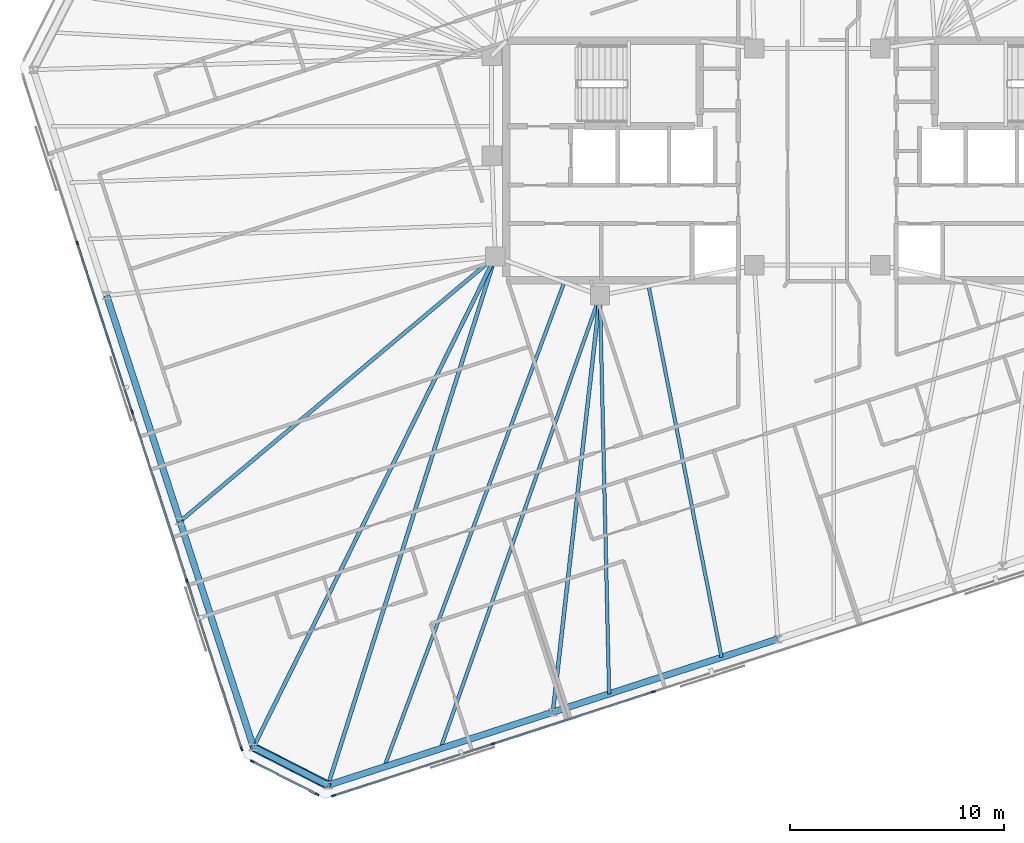
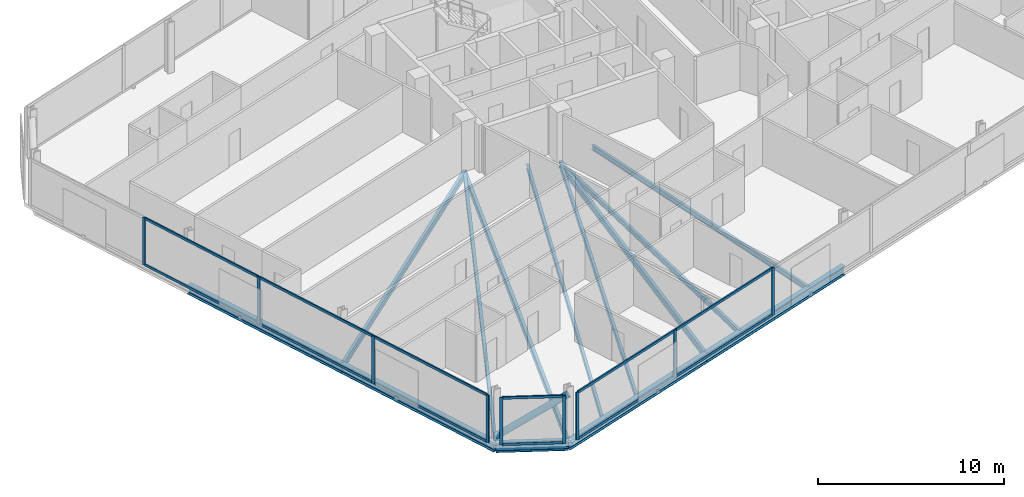
# One storey, part 5 of 19: 22 members, 13 beams, 3 elements without a shape of their own.
"""IFC4 building model written with IfcOpenShell, lengths in metres."""

from ifc_helpers import new_model, si_unit, direction, frame, origin, origin_2d, place, context, subcontext, project, spatial, rectangle, hollow_circle, i_section, extrude, material, material_profile, profile_set, type_object, element, aggregate, save


model = new_model("IFC4")

# Units and contexts
model_context = context("Model", 3, precision=1e-05, world=origin(), true_north=direction((0.0, 1.0)))
body_context = subcontext(model_context, "Body", "Model", "MODEL_VIEW")
ifc_project = project(units=[si_unit("LENGTHUNIT", "METRE"), si_unit("AREAUNIT", "SQUARE_METRE"), si_unit("VOLUMEUNIT", "CUBIC_METRE"), si_unit("PLANEANGLEUNIT", "RADIAN"), si_unit("MASSUNIT", "GRAM", prefix="KILO")], contexts=[model_context])

# Site, building, storey
site_placement = place(None, origin())
site = spatial("IfcSite", under=ifc_project, at=site_placement, CompositionType="ELEMENT")
building_placement = place(site_placement, origin())
building = spatial("IfcBuilding", under=site, at=building_placement, Name="Menara Jurai Vektor", CompositionType="ELEMENT")
storey_placement = place(building_placement, frame((0.0, 0.0, 220.949951171875)))
storey = spatial("IfcBuildingStorey", under=building, at=storey_placement, Name="L58", CompositionType="ELEMENT", Elevation=220.949951171875)

# Curtain wall, members
ifc_material_1 = material(Name="Anodised Pale Aluminium & Low-E Double Glazing", Category="aluminium")
curtain_wall_type = type_object("IfcCurtainWallType", Name="CW-BLK4", PredefinedType="NOTDEFINED", material=ifc_material_1)
curtain_wall_1_placement = place(storey_placement, origin())
curtain_wall_1 = element("IfcCurtainWall", 1, at=curtain_wall_1_placement, inside=storey, type_object=curtain_wall_type, Name="Unitised Curtain Wall L58 F01", PredefinedType="NOTDEFINED")
ifc_material_2 = material(Name="Anodised Pale Aluminium Mullion", Category="aluminium")
ifc_material_profile_1 = material_profile(ifc_material_2, rectangle(XDim=0.080078125, YDim=0.18994140625, at=origin_2d()), Name="ALU MUL 80x190")
ifc_profile_set_1 = profile_set([ifc_material_profile_1], Name="Anodised Pale Aluminium Mullion")
member_type_1 = type_object("IfcMemberType", Name="CW-BLK4-MUL", PredefinedType="MULLION", material=ifc_profile_set_1)
member_1_placement = place(storey_placement, frame((-22.649658203125, -29.743896484375, 0.0), z_axis=(0.0, 0.0, 1.0), x_axis=(-0.309017344167, 0.951056402641, 0.0)))
member_1 = element("IfcMember", 2, at=member_1_placement, type_object=member_type_1, Name="CW-04 mullion 1", PredefinedType="MULLION", context=body_context, shape_type="SweptSolid", body=[
    extrude(rectangle(XDim=0.080078125, YDim=0.18994140625, at=origin_2d()), origin(), (0.0, 0.0, 1.0), 3.125),
])
member_2_placement = place(storey_placement, frame((-15.1826171875, -27.317626953125, 0.0), z_axis=(0.0, 0.0, 1.0), x_axis=(-0.309017344167, 0.951056402641, 0.0)))
member_2 = element("IfcMember", 3, at=member_2_placement, type_object=member_type_1, Name="CW-04 mullion 2", PredefinedType="MULLION", context=body_context, shape_type="SweptSolid", body=[
    extrude(rectangle(XDim=0.080078125, YDim=0.18994140625, at=origin_2d()), origin(), (0.0, 0.0, 1.0), 3.125),
])
member_3_placement = place(storey_placement, frame((-7.677490234375, -24.879150390625, 0.0), z_axis=(0.0, 0.0, 1.0), x_axis=(-0.309017344167, 0.951056402641, 0.0)))
member_3 = element("IfcMember", 4, at=member_3_placement, type_object=member_type_1, Name="CW-04 mullion 3", PredefinedType="MULLION", context=body_context, shape_type="SweptSolid", body=[
    extrude(rectangle(XDim=0.080078125, YDim=0.18994140625, at=origin_2d()), origin(), (0.0, 0.0, 1.0), 3.125),
])

curtain_wall_2_placement = place(storey_placement, origin())
curtain_wall_2 = element("IfcCurtainWall", 5, at=curtain_wall_2_placement, inside=storey, type_object=curtain_wall_type, Name="Unitised Curtain Wall L58 F07", PredefinedType="NOTDEFINED")
member_4_placement = place(storey_placement, frame((-34.650634765625, -3.876220703125, 0.0), z_axis=(0.0, 0.0, 1.0), x_axis=(0.95105668295, 0.309016481464, 0.0)))
member_4 = element("IfcMember", 6, at=member_4_placement, type_object=member_type_1, Name="CW-04 mullion 2", PredefinedType="MULLION", context=body_context, shape_type="SweptSolid", body=[
    extrude(rectangle(XDim=0.080078125, YDim=0.18994140625, at=origin_2d()), origin(), (0.0, 0.0, 1.0), 3.125),
])
member_5_placement = place(storey_placement, frame((-32.082763671875, -11.779541015625, 0.0), z_axis=(0.0, 0.0, 1.0), x_axis=(0.95105668295, 0.309016481464, 0.0)))
member_5 = element("IfcMember", 7, at=member_5_placement, type_object=member_type_1, Name="CW-04 mullion 3", PredefinedType="MULLION", context=body_context, shape_type="SweptSolid", body=[
    extrude(rectangle(XDim=0.080078125, YDim=0.18994140625, at=origin_2d()), origin(), (0.0, 0.0, 1.0), 3.125),
])
member_6_placement = place(storey_placement, frame((-29.514892578125, -19.682861328125, 0.0), z_axis=(0.0, 0.0, 1.0), x_axis=(0.95105668295, 0.309016481464, 0.0)))
member_6 = element("IfcMember", 8, at=member_6_placement, type_object=member_type_1, Name="CW-04 mullion 4", PredefinedType="MULLION", context=body_context, shape_type="SweptSolid", body=[
    extrude(rectangle(XDim=0.080078125, YDim=0.18994140625, at=origin_2d()), origin(), (0.0, 0.0, 1.0), 3.125),
])
member_7_placement = place(storey_placement, frame((-26.959228515625, -27.548095703125, 0.0), z_axis=(0.0, 0.0, 1.0), x_axis=(0.95105668295, 0.309016481464, 0.0)))
member_7 = element("IfcMember", 9, at=member_7_placement, type_object=member_type_1, Name="CW-04 mullion 5", PredefinedType="MULLION", context=body_context, shape_type="SweptSolid", body=[
    extrude(rectangle(XDim=0.080078125, YDim=0.18994140625, at=origin_2d()), origin(), (0.0, 0.0, 1.0), 3.125),
])

curtain_wall_3_placement = place(storey_placement, origin())
curtain_wall_3 = element("IfcCurtainWall", 10, at=curtain_wall_3_placement, inside=storey, type_object=curtain_wall_type, Name="Unitised Curtain Wall L58 F08", PredefinedType="NOTDEFINED")
member_8_placement = place(storey_placement, frame((-26.455322265625, -28.13818359375, 0.0), z_axis=(0.0, 0.0, 1.0), x_axis=(0.453988579828, 0.89100750243, 0.0)))
member_8 = element("IfcMember", 11, at=member_8_placement, type_object=member_type_1, Name="CW-04 mullion 1", PredefinedType="MULLION", context=body_context, shape_type="SweptSolid", body=[
    extrude(rectangle(XDim=0.080078125, YDim=0.18994140625, at=origin_2d()), origin(), (0.0, 0.0, 1.0), 3.125),
])
member_9_placement = place(storey_placement, frame((-23.42333984375, -29.682861328125, 0.0), z_axis=(0.0, 0.0, 1.0), x_axis=(0.453988579828, 0.89100750243, 0.0)))
member_9 = element("IfcMember", 12, at=member_9_placement, type_object=member_type_1, Name="CW-04 mullion 2", PredefinedType="MULLION", context=body_context, shape_type="SweptSolid", body=[
    extrude(rectangle(XDim=0.080078125, YDim=0.18994140625, at=origin_2d()), origin(), (0.0, 0.0, 1.0), 3.125),
])

# Member
ifc_material_3 = material(Name="Anodised Pale Aluminium Transom", Category="aluminium")
ifc_material_profile_2 = material_profile(ifc_material_3, rectangle(XDim=0.080078125, YDim=0.1650390625, at=origin_2d()), Name="ALU TRN 80x165")
ifc_profile_set_2 = profile_set([ifc_material_profile_2], Name="Anodised Pale Aluminium Transom")
member_type_2 = type_object("IfcMemberType", Name="CW-BLK4-TRN", PredefinedType="USERDEFINED", material=ifc_profile_set_2)
member_10_placement = place(storey_placement, frame((-22.61181640625, -29.7314453125, 0.0400390625), z_axis=(0.951062230089, 0.308999408573, 0.0), x_axis=(-0.308999408573, 0.951062230089, 0.0)))
member_10 = element("IfcMember", 13, at=member_10_placement, type_object=member_type_2, Name="CW-04 transom 1.1", ObjectType="TRANSOM", PredefinedType="USERDEFINED", context=body_context, shape_type="SweptSolid", body=[
    extrude(rectangle(XDim=0.080078125, YDim=0.1650390625, at=origin_2d()), origin(), (0.0, 0.0, 1.0), 7.771484375),
])

member_11_placement = place(storey_placement, frame((-22.61181640625, -29.7314453125, 3.0849609375), z_axis=(0.951062230089, 0.308999408573, 0.0), x_axis=(-0.308999408573, 0.951062230089, 0.0)))
member_11 = element("IfcMember", 14, at=member_11_placement, type_object=member_type_2, Name="CW-04 transom 1.2", ObjectType="TRANSOM", PredefinedType="USERDEFINED", context=body_context, shape_type="SweptSolid", body=[
    extrude(rectangle(XDim=0.080078125, YDim=0.1650390625, at=origin_2d()), origin(), (0.0, 0.0, 1.0), 7.771484375),
])

member_12_placement = place(storey_placement, frame((-15.14453125, -27.30517578125, 0.0400390625), z_axis=(0.95105634578, 0.309017519167, 0.0), x_axis=(-0.309017519167, 0.95105634578, 0.0)))
member_12 = element("IfcMember", 15, at=member_12_placement, type_object=member_type_2, Name="CW-04 transom 2.1", ObjectType="TRANSOM", PredefinedType="USERDEFINED", context=body_context, shape_type="SweptSolid", body=[
    extrude(rectangle(XDim=0.080078125, YDim=0.1650390625, at=origin_2d()), origin(), (0.0, 0.0, 1.0), 7.811279296875),
])

member_13_placement = place(storey_placement, frame((-15.14453125, -27.30517578125, 3.0849609375), z_axis=(0.95105634578, 0.309017519167, 0.0), x_axis=(-0.309017519167, 0.95105634578, 0.0)))
member_13 = element("IfcMember", 16, at=member_13_placement, type_object=member_type_2, Name="CW-04 transom 2.2", ObjectType="TRANSOM", PredefinedType="USERDEFINED", context=body_context, shape_type="SweptSolid", body=[
    extrude(rectangle(XDim=0.080078125, YDim=0.1650390625, at=origin_2d()), origin(), (0.0, 0.0, 1.0), 7.811279296875),
])

aggregate(curtain_wall_1, [member_1, member_2, member_3, member_10, member_11, member_12, member_13])

member_14_placement = place(storey_placement, frame((-34.638427734375, -3.914306640625, 0.0400390625), z_axis=(0.309018994408, -0.951055866443, 0.0), x_axis=(0.951055866443, 0.309018994408, 0.0)))
member_14 = element("IfcMember", 17, at=member_14_placement, type_object=member_type_2, Name="CW-04 transom 2.1", ObjectType="TRANSOM", PredefinedType="USERDEFINED", context=body_context, shape_type="SweptSolid", body=[
    extrude(rectangle(XDim=0.080078125, YDim=0.1650390625, at=origin_2d()), origin(), (0.0, 0.0, 1.0), 8.22998046875),
])

member_15_placement = place(storey_placement, frame((-34.638427734375, -3.914306640625, 3.0849609375), z_axis=(0.309018994408, -0.951055866443, 0.0), x_axis=(0.951055866443, 0.309018994408, 0.0)))
member_15 = element("IfcMember", 18, at=member_15_placement, type_object=member_type_2, Name="CW-04 transom 2.2", ObjectType="TRANSOM", PredefinedType="USERDEFINED", context=body_context, shape_type="SweptSolid", body=[
    extrude(rectangle(XDim=0.080078125, YDim=0.1650390625, at=origin_2d()), origin(), (0.0, 0.0, 1.0), 8.22998046875),
])

member_16_placement = place(storey_placement, frame((-32.0703125, -11.817626953125, 0.0400390625), z_axis=(0.309018994408, -0.951055866443, 0.0), x_axis=(0.951055866443, 0.309018994408, 0.0)))
member_16 = element("IfcMember", 19, at=member_16_placement, type_object=member_type_2, Name="CW-04 transom 3.1", ObjectType="TRANSOM", PredefinedType="USERDEFINED", context=body_context, shape_type="SweptSolid", body=[
    extrude(rectangle(XDim=0.080078125, YDim=0.1650390625, at=origin_2d()), origin(), (0.0, 0.0, 1.0), 8.22998046875),
])

member_17_placement = place(storey_placement, frame((-32.0703125, -11.817626953125, 3.0849609375), z_axis=(0.309018994408, -0.951055866443, 0.0), x_axis=(0.951055866443, 0.309018994408, 0.0)))
member_17 = element("IfcMember", 20, at=member_17_placement, type_object=member_type_2, Name="CW-04 transom 3.2", ObjectType="TRANSOM", PredefinedType="USERDEFINED", context=body_context, shape_type="SweptSolid", body=[
    extrude(rectangle(XDim=0.080078125, YDim=0.1650390625, at=origin_2d()), origin(), (0.0, 0.0, 1.0), 8.22998046875),
])

member_18_placement = place(storey_placement, frame((-29.50244140625, -19.720947265625, 0.0400390625), z_axis=(0.309010577384, -0.951058601278, 0.0), x_axis=(0.951058601278, 0.309010577384, 0.0)))
member_18 = element("IfcMember", 21, at=member_18_placement, type_object=member_type_2, Name="CW-04 transom 4.1", ObjectType="TRANSOM", PredefinedType="USERDEFINED", context=body_context, shape_type="SweptSolid", body=[
    extrude(rectangle(XDim=0.080078125, YDim=0.1650390625, at=origin_2d()), origin(), (0.0, 0.0, 1.0), 8.18994140625),
])

member_19_placement = place(storey_placement, frame((-29.50244140625, -19.720947265625, 3.0849609375), z_axis=(0.309010577384, -0.951058601278, 0.0), x_axis=(0.951058601278, 0.309010577384, 0.0)))
member_19 = element("IfcMember", 22, at=member_19_placement, type_object=member_type_2, Name="CW-04 transom 4.2", ObjectType="TRANSOM", PredefinedType="USERDEFINED", context=body_context, shape_type="SweptSolid", body=[
    extrude(rectangle(XDim=0.080078125, YDim=0.1650390625, at=origin_2d()), origin(), (0.0, 0.0, 1.0), 8.18994140625),
])

aggregate(curtain_wall_2, [member_4, member_5, member_6, member_7, member_14, member_15, member_16, member_17, member_18, member_19])

member_20_placement = place(storey_placement, frame((-26.419677734375, -28.15625, 0.0400390625), z_axis=(0.89100697374, -0.453989617444, 0.0), x_axis=(0.453989617444, 0.89100697374, 0.0)))
member_20 = element("IfcMember", 23, at=member_20_placement, type_object=member_type_2, Name="CW-04 transom 1.1", ObjectType="TRANSOM", PredefinedType="USERDEFINED", context=body_context, shape_type="SweptSolid", body=[
    extrude(rectangle(XDim=0.080078125, YDim=0.1650390625, at=origin_2d()), origin(), (0.0, 0.0, 1.0), 3.32275390625),
])

member_21_placement = place(storey_placement, frame((-26.419677734375, -28.15625, 3.0849609375), z_axis=(0.89100697374, -0.453989617444, 0.0), x_axis=(0.453989617444, 0.89100697374, 0.0)))
member_21 = element("IfcMember", 24, at=member_21_placement, type_object=member_type_2, Name="CW-04 transom 1.2", ObjectType="TRANSOM", PredefinedType="USERDEFINED", context=body_context, shape_type="SweptSolid", body=[
    extrude(rectangle(XDim=0.080078125, YDim=0.1650390625, at=origin_2d()), origin(), (0.0, 0.0, 1.0), 3.32275390625),
])

aggregate(curtain_wall_3, [member_8, member_9, member_20, member_21])

# Beams
ifc_material_4 = material(Name="Steel S355", Category="steel")
ifc_material_profile_3 = material_profile(ifc_material_4, i_section(OverallWidth=0.18505859375, OverallDepth=0.429931640625, WebThickness=0.010986328125, FlangeThickness=0.01806640625, at=origin_2d()), Name="PG 430x185x76")
ifc_profile_set_3 = profile_set([ifc_material_profile_3], Name="Steel S355")
beam_type_1 = type_object("IfcBeamType", Name="STR-BM-430", PredefinedType="BEAM", material=ifc_profile_set_3)
beam_1_placement = place(storey_placement, frame((-22.912841796875, -29.2509765625, -0.43994140625), z_axis=(0.301715059084, 0.953398145122, 0.0), x_axis=(-0.953398145122, 0.301715059084, 0.0)))
element("IfcBeam", 25, at=beam_1_placement, inside=storey, type_object=beam_type_1, Name="Radial Floor Girder L58-S1", PredefinedType="BEAM", context=body_context, shape_type="SweptSolid", body=[
    extrude(i_section(OverallWidth=0.18505859375, OverallDepth=0.429931640625, WebThickness=0.010986328125, FlangeThickness=0.01806640625, at=origin_2d()), origin(), (0.0, 0.0, 1.0), 25.960693359375),
])
beam_2_placement = place(storey_placement, frame((-12.383544921875, -25.829833984375, -0.43994140625), z_axis=(0.112235588534, 0.993681625404, 0.0), x_axis=(-0.993681625404, 0.112235588534, 0.0)))
element("IfcBeam", 26, at=beam_2_placement, inside=storey, type_object=beam_type_1, Name="Radial Floor Girder L58-S2", PredefinedType="BEAM", context=body_context, shape_type="SweptSolid", body=[
    extrude(i_section(OverallWidth=0.18505859375, OverallDepth=0.429931640625, WebThickness=0.010986328125, FlangeThickness=0.01806640625, at=origin_2d()), origin(), (0.0, 0.0, 1.0), 19.6337890625),
])
beam_3_placement = place(storey_placement, frame((-29.841796875, -16.896728515625, -0.43994140625), z_axis=(0.765784449649, 0.64309733064, 0.0), x_axis=(-0.64309733064, 0.765784449649, 0.0)))
element("IfcBeam", 27, at=beam_3_placement, inside=storey, type_object=beam_type_1, Name="Radial Floor Girder L58-W3", PredefinedType="BEAM", context=body_context, shape_type="SweptSolid", body=[
    extrude(i_section(OverallWidth=0.18505859375, OverallDepth=0.429931640625, WebThickness=0.010986328125, FlangeThickness=0.01806640625, at=origin_2d()), origin(), (0.0, 0.0, 1.0), 19.276611328125),
])
beam_4_placement = place(storey_placement, frame((-26.406005859375, -27.47119140625, -0.43994140625), z_axis=(0.442219272094, 0.896906971424, 0.0), x_axis=(-0.896906971424, 0.442219272094, 0.0)))
element("IfcBeam", 28, at=beam_4_placement, inside=storey, type_object=beam_type_1, Name="Radial Floor Girder L58-W4", PredefinedType="BEAM", context=body_context, shape_type="SweptSolid", body=[
    extrude(i_section(OverallWidth=0.18505859375, OverallDepth=0.429931640625, WebThickness=0.010986328125, FlangeThickness=0.01806640625, at=origin_2d()), origin(), (0.0, 0.0, 1.0), 25.611572265625),
])

# Member
ifc_material_5 = material(Name="Steel S460", Category="steel")
ifc_material_profile_4 = material_profile(ifc_material_5, hollow_circle(Radius=0.203125, WallThickness=0.01611328125, at=origin_2d()), Name="CHS 406.4x16")
ifc_profile_set_4 = profile_set([ifc_material_profile_4], Name="Steel S460")
member_type_3 = type_object("IfcMemberType", Name="STR-BR-406", PredefinedType="BRACE", material=ifc_profile_set_4)
member_22_placement = place(storey_placement, frame((-26.406005859375, -27.47119140625, 0.150146484375), z_axis=(0.740375367811, -0.377225079071, 0.556368182465), x_axis=(0.453976155955, 0.891013832566, 0.0)))
element("IfcMember", 29, at=member_22_placement, inside=storey, type_object=member_type_3, Name="Exoskeleton Corner Brace L58-4", PredefinedType="BRACE", context=body_context, shape_type="SweptSolid", body=[
    extrude(hollow_circle(Radius=0.203125, WallThickness=0.01611328125, at=origin_2d()), origin(), (0.0, 0.0, 1.0), 4.718017578125),
])

# Beams
ifc_material_profile_5 = material_profile(ifc_material_4, i_section(OverallWidth=0.1650390625, OverallDepth=0.330078125, WebThickness=0.009033203125, FlangeThickness=0.013916015625, at=origin_2d()), Name="PG 330x165x46")
ifc_profile_set_5 = profile_set([ifc_material_profile_5], Name="Steel S355")
beam_type_2 = type_object("IfcBeamType", Name="STR-JS-330", PredefinedType="JOIST", material=ifc_profile_set_5)
beam_5_placement = place(storey_placement, frame((-20.280517578125, -28.395751953125, -0.389892578125), z_axis=(0.348182225555, 0.937426870645, 0.0), x_axis=(-0.937426870645, 0.348182225555, 0.0)))
element("IfcBeam", 30, at=beam_5_placement, inside=storey, type_object=beam_type_2, Name="Radial Secondary Floor Joist L58-JS01", PredefinedType="JOIST", context=body_context, shape_type="SweptSolid", body=[
    extrude(i_section(OverallWidth=0.1650390625, OverallDepth=0.330078125, WebThickness=0.009033203125, FlangeThickness=0.013916015625, at=origin_2d()), origin(), (0.0, 0.0, 1.0), 24.211181640625),
])
beam_6_placement = place(storey_placement, frame((-17.648193359375, -27.540283203125, -0.389892578125), z_axis=(0.331980963321, 0.943286085974, 0.0), x_axis=(-0.943286085974, 0.331980963321, 0.0)))
element("IfcBeam", 31, at=beam_6_placement, inside=storey, type_object=beam_type_2, Name="Radial Secondary Floor Joist L58-JS02", PredefinedType="JOIST", context=body_context, shape_type="SweptSolid", body=[
    extrude(i_section(OverallWidth=0.1650390625, OverallDepth=0.330078125, WebThickness=0.009033203125, FlangeThickness=0.013916015625, at=origin_2d()), origin(), (0.0, 0.0, 1.0), 22.49609375),
])
beam_7_placement = place(storey_placement, frame((-9.751220703125, -24.974609375, -0.389892578125), z_axis=(-0.022975519442, 0.999736027913, 0.0), x_axis=(-0.999736027913, -0.022975519442, 0.0)))
element("IfcBeam", 32, at=beam_7_placement, inside=storey, type_object=beam_type_2, Name="Radial Secondary Floor Joist L58-JS03", PredefinedType="JOIST", context=body_context, shape_type="SweptSolid", body=[
    extrude(i_section(OverallWidth=0.1650390625, OverallDepth=0.330078125, WebThickness=0.009033203125, FlangeThickness=0.013916015625, at=origin_2d()), origin(), (0.0, 0.0, 1.0), 18.659423828125),
])
beam_8_placement = place(storey_placement, frame((-4.486572265625, -23.263916015625, -0.389892578125), z_axis=(-0.192724225092, 0.981252960792, 0.0), x_axis=(-0.981252960792, -0.192724225092, 0.0)))
element("IfcBeam", 33, at=beam_8_placement, inside=storey, type_object=beam_type_2, Name="Radial Secondary Floor Joist L58-JS04", PredefinedType="JOIST", context=body_context, shape_type="SweptSolid", body=[
    extrude(i_section(OverallWidth=0.1650390625, OverallDepth=0.330078125, WebThickness=0.009033203125, FlangeThickness=0.013916015625, at=origin_2d()), origin(), (0.0, 0.0, 1.0), 17.7236328125),
])
ifc_material_profile_6 = material_profile(ifc_material_4, i_section(OverallWidth=0.306884765625, OverallDepth=0.6201171875, WebThickness=0.013916015625, FlangeThickness=0.02392578125, FilletRadius=0.01708984375, at=origin_2d()), Name="UKB 610x305x179")
ifc_profile_set_6 = profile_set([ifc_material_profile_6], Name="Steel S355")
beam_type_3 = type_object("IfcBeamType", Name="STR-SP-610", PredefinedType="SPANDREL", material=ifc_profile_set_6)
for number, where, z_axis, x_axis, name in (
    (34, (-22.912841796875, -29.2509765625, -0.534912109375), (0.951057401967, 0.309014268544, 0.0), (-0.309014268544, 0.951057401967, 0.0), "Exoskeleton Spandrel Beam L58-01"),
    (35, (-12.383544921875, -25.829833984375, -0.534912109375), (0.951057401967, 0.309014268544, 0.0), (-0.309014268544, 0.951057401967, 0.0), "Exoskeleton Spandrel Beam L58-02"),
):
    element("IfcBeam", number, at=place(storey_placement, frame(where, z_axis=z_axis, x_axis=x_axis)), inside=storey, type_object=beam_type_3, Name=name, PredefinedType="SPANDREL", context=body_context, shape_type="SweptSolid", body=[
        extrude(i_section(OverallWidth=0.306884765625, OverallDepth=0.6201171875, WebThickness=0.013916015625, FlangeThickness=0.02392578125, FilletRadius=0.01708984375, at=origin_2d()), origin(), (0.0, 0.0, 1.0), 11.071044921875),
    ])
beam_9_placement = place(storey_placement, frame((-33.277587890625, -6.322509765625, -0.534912109375), z_axis=(0.309018545885, -0.951056012178, 0.0), x_axis=(0.951056012178, 0.309018545885, 0.0)))
element("IfcBeam", 36, at=beam_9_placement, inside=storey, type_object=beam_type_3, Name="Exoskeleton Spandrel Beam L58-18", PredefinedType="SPANDREL", context=body_context, shape_type="SweptSolid", body=[
    extrude(i_section(OverallWidth=0.306884765625, OverallDepth=0.6201171875, WebThickness=0.013916015625, FlangeThickness=0.02392578125, FilletRadius=0.01708984375, at=origin_2d()), origin(), (0.0, 0.0, 1.0), 11.118408203125),
])
beam_10_placement = place(storey_placement, frame((-29.841796875, -16.896728515625, -0.534912109375), z_axis=(0.309012092614, -0.95105810896, 0.0), x_axis=(0.95105810896, 0.309012092614, 0.0)))
element("IfcBeam", 37, at=beam_10_placement, inside=storey, type_object=beam_type_3, Name="Exoskeleton Spandrel Beam L58-19", PredefinedType="SPANDREL", context=body_context, shape_type="SweptSolid", body=[
    extrude(i_section(OverallWidth=0.306884765625, OverallDepth=0.6201171875, WebThickness=0.013916015625, FlangeThickness=0.02392578125, FilletRadius=0.01708984375, at=origin_2d()), origin(), (0.0, 0.0, 1.0), 11.11865234375),
])
beam_11_placement = place(storey_placement, frame((-26.406005859375, -27.47119140625, -0.534912109375), z_axis=(0.891013832566, -0.453976155955, 0.0), x_axis=(0.453976155955, 0.891013832566, 0.0)))
element("IfcBeam", 38, at=beam_11_placement, inside=storey, type_object=beam_type_3, Name="Exoskeleton Spandrel Beam L58-20", PredefinedType="SPANDREL", context=body_context, shape_type="SweptSolid", body=[
    extrude(i_section(OverallWidth=0.306884765625, OverallDepth=0.6201171875, WebThickness=0.013916015625, FlangeThickness=0.02392578125, FilletRadius=0.01708984375, at=origin_2d()), origin(), (0.0, 0.0, 1.0), 3.92041015625),
])

save(model, "model.ifc")
